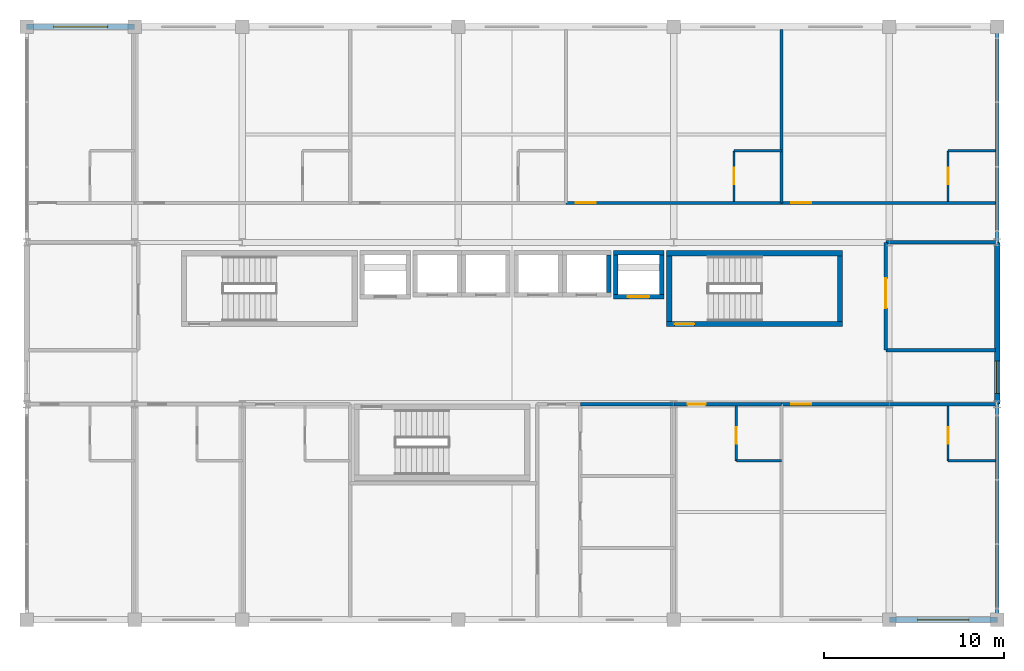
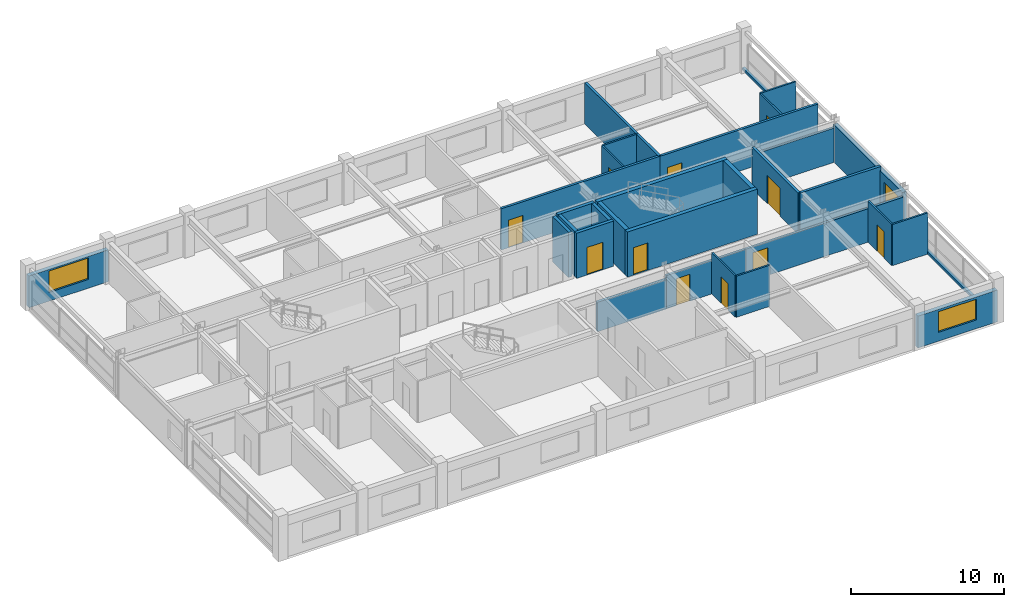
# One storey, part 18 of 20: 31 walls, 11 doors, 3 windows, 14 openings.
"""IFC4 building model written with IfcOpenShell, lengths in metres."""

from ifc_helpers import new_model, si_unit, direction, frame, frame_2d, origin, place, context, subcontext, project, spatial, rectangle, extrude, material, layer, layer_set, type_object, element, fill, save


model = new_model("IFC4")

# Units and contexts
model_context = context("Model", 3, precision=1e-05, world=origin(), true_north=direction((0.0, 1.0)))
body_context = subcontext(model_context, "Body", "Model", "MODEL_VIEW")
ifc_project = project(units=[si_unit("LENGTHUNIT", "METRE"), si_unit("AREAUNIT", "SQUARE_METRE"), si_unit("VOLUMEUNIT", "CUBIC_METRE"), si_unit("PLANEANGLEUNIT", "RADIAN"), si_unit("MASSUNIT", "GRAM", prefix="KILO")], contexts=[model_context])

# Site, building, storey
site_placement = place(None, origin())
site = spatial("IfcSite", under=ifc_project, at=site_placement, CompositionType="ELEMENT")
building_placement = place(site_placement, origin())
building = spatial("IfcBuilding", under=site, at=building_placement, Name="Kaldorvane Square Convention Centre", CompositionType="ELEMENT")
storey_placement = place(building_placement, frame((0.0, 0.0, 52.80000305175781)))
storey = spatial("IfcBuildingStorey", under=building, at=storey_placement, Name="L12", CompositionType="ELEMENT", Elevation=52.80000305175781)

# Wall, opening, door
ifc_material_1 = material(Name="Fire-Rated Gypsum Board on Acoustic Steel Studs", Category="steel")
ifc_layer_1 = layer(ifc_material_1, 0.125)
ifc_layer_set_1 = layer_set([ifc_layer_1], Name="Fire-Rated Gypsum Board on Acoustic Steel Studs")
wall_type_1 = type_object("IfcWallType", Name="WL-BATH-125", PredefinedType="PARTITIONING", material=ifc_layer_set_1)
wall_1_placement = place(storey_placement, frame((69.35000610351562, 107.28999328613281, 0.0), z_axis=(0.0, 0.0, 1.0), x_axis=(0.0, 1.0, 0.0)))
wall_1 = element("IfcWall", 1, at=wall_1_placement, inside=storey, type_object=wall_type_1, Name="En-Suite 1204 West Wall", PredefinedType="PARTITIONING", context=body_context, shape_type="SweptSolid", body=[
    extrude(rectangle(XDim=2.8100128173828125, YDim=0.125, at=frame_2d((1.404998779296875, 0.0))), origin(), (0.0, 0.0, 1.0), 3.2899932861328125),
])
opening_1_placement = place(wall_1_placement, frame((0.9499969482421875, 0.0, 0.0)))
opening_1 = element("IfcOpeningElement", 2, at=opening_1_placement, cuts=wall_1, Name="Opening ID-12", PredefinedType="OPENING", context=body_context, shape_type="SweptSolid", body=[
    extrude(rectangle(XDim=0.9199981689453125, YDim=2.100006103515625, at=frame_2d((0.459991455078125, 1.0500030517578125))), frame((0.0, 0.0774993896484375, 0.0), z_axis=(0.0, -1.0, 0.0), x_axis=(1.0, 0.0, 0.0)), (0.0, 0.0, 1.0), 0.154998779296875),
])
ifc_material_2 = material(Name="Architectural Solid-Core White Oak")
door_type_1 = type_object("IfcDoorType", Name="DR-BATH-0920X2100", OperationType="SINGLE_SWING_RIGHT", PredefinedType="DOOR", material=ifc_material_2)
door_1_placement = place(opening_1_placement, origin())
door_1 = element("IfcDoor", 3, at=door_1_placement, inside=storey, type_object=door_type_1, Name="En-Suite Bathroom 1204 Door", OperationType="SINGLE_SWING_RIGHT", OverallHeight=2.100006103515625, OverallWidth=0.9199981689453125, PredefinedType="DOOR", context=body_context, shape_type="SweptSolid", body=[
    extrude(rectangle(XDim=0.9199981689453125, YDim=2.100006103515625, at=frame_2d((0.459991455078125, 1.0500030517578125))), frame((0.0, 0.024993896484375, 0.0), z_axis=(0.0, -1.0, 0.0), x_axis=(1.0, 0.0, 0.0)), (0.0, 0.0, 1.0), 0.0500030517578125),
])
fill(opening_1, door_1)

# Wall
wall_2_placement = place(storey_placement, frame((69.35000610351562, 110.10000610351562, 0.0), z_axis=(0.0, 0.0, 1.0), x_axis=(1.0, 0.0, 0.0)))
element("IfcWall", 4, at=wall_2_placement, inside=storey, type_object=wall_type_1, Name="En-Suite 1204 North Wall", PredefinedType="PARTITIONING", context=body_context, shape_type="SweptSolid", body=[
    extrude(rectangle(XDim=2.649993896484375, YDim=0.125, at=frame_2d((1.3249969482421875, 0.0))), origin(), (0.0, 0.0, 1.0), 3.2899932861328125),
])

# Wall, opening, door
wall_3_placement = place(storey_placement, frame((81.26499938964844, 107.28999328613281, 0.0), z_axis=(0.0, 0.0, 1.0), x_axis=(0.0, 1.0, 0.0)))
wall_3 = element("IfcWall", 5, at=wall_3_placement, inside=storey, type_object=wall_type_1, Name="En-Suite 1205 West Wall", PredefinedType="PARTITIONING", context=body_context, shape_type="SweptSolid", body=[
    extrude(rectangle(XDim=2.8100128173828125, YDim=0.125, at=frame_2d((1.404998779296875, 0.0))), origin(), (0.0, 0.0, 1.0), 3.2899932861328125),
])
opening_2_placement = place(wall_3_placement, frame((0.9499969482421875, 0.0, 0.0)))
opening_2 = element("IfcOpeningElement", 6, at=opening_2_placement, cuts=wall_3, Name="Opening ID-12", PredefinedType="OPENING", context=body_context, shape_type="SweptSolid", body=[
    extrude(rectangle(XDim=0.9199981689453125, YDim=2.100006103515625, at=frame_2d((0.459991455078125, 1.0500030517578125))), frame((0.0, 0.0774993896484375, 0.0), z_axis=(0.0, -1.0, 0.0), x_axis=(1.0, 0.0, 0.0)), (0.0, 0.0, 1.0), 0.154998779296875),
])
door_2_placement = place(opening_2_placement, origin())
door_2 = element("IfcDoor", 7, at=door_2_placement, inside=storey, type_object=door_type_1, Name="En-Suite Bathroom 1205 Door", OperationType="SINGLE_SWING_RIGHT", OverallHeight=2.100006103515625, OverallWidth=0.9199981689453125, PredefinedType="DOOR", context=body_context, shape_type="SweptSolid", body=[
    extrude(rectangle(XDim=0.9199981689453125, YDim=2.100006103515625, at=frame_2d((0.459991455078125, 1.0500030517578125))), frame((0.0, 0.024993896484375, 0.0), z_axis=(0.0, -1.0, 0.0), x_axis=(1.0, 0.0, 0.0)), (0.0, 0.0, 1.0), 0.0500030517578125),
])
fill(opening_2, door_2)

# Wall
wall_4_placement = place(storey_placement, frame((81.26499938964844, 110.10000610351562, 0.0), z_axis=(0.0, 0.0, 1.0), x_axis=(1.0, 0.0, 0.0)))
element("IfcWall", 8, at=wall_4_placement, inside=storey, type_object=wall_type_1, Name="En-Suite 1205 North Wall", PredefinedType="PARTITIONING", context=body_context, shape_type="SweptSolid", body=[
    extrude(rectangle(XDim=2.649993896484375, YDim=0.125, at=frame_2d((1.3249969482421875, 0.0))), origin(), (0.0, 0.0, 1.0), 3.2899932861328125),
])

# Wall, opening, door
wall_5_placement = place(storey_placement, frame((69.47999572753906, 92.85000610351562, 0.0), z_axis=(0.0, 0.0, 1.0), x_axis=(0.0, 1.0, 0.0)))
wall_5 = element("IfcWall", 9, at=wall_5_placement, inside=storey, type_object=wall_type_1, Name="En-Suite 1209 West Wall", PredefinedType="PARTITIONING", context=body_context, shape_type="SweptSolid", body=[
    extrude(rectangle(XDim=3.05999755859375, YDim=0.125, at=frame_2d((1.529998779296875, 0.0))), origin(), (0.0, 0.0, 1.0), 3.2899932861328125),
])
opening_3_placement = place(wall_5_placement, frame((0.9499969482421875, 0.0, 0.0)))
opening_3 = element("IfcOpeningElement", 10, at=opening_3_placement, cuts=wall_5, Name="Opening ID-12", PredefinedType="OPENING", context=body_context, shape_type="SweptSolid", body=[
    extrude(rectangle(XDim=0.9199981689453125, YDim=2.100006103515625, at=frame_2d((0.459991455078125, 1.0500030517578125))), frame((0.0, 0.0774993896484375, 0.0), z_axis=(0.0, -1.0, 0.0), x_axis=(1.0, 0.0, 0.0)), (0.0, 0.0, 1.0), 0.154998779296875),
])
door_3_placement = place(opening_3_placement, origin())
door_3 = element("IfcDoor", 11, at=door_3_placement, inside=storey, type_object=door_type_1, Name="En-Suite Bathroom 1209 Door", OperationType="SINGLE_SWING_RIGHT", OverallHeight=2.100006103515625, OverallWidth=0.9199981689453125, PredefinedType="DOOR", context=body_context, shape_type="SweptSolid", body=[
    extrude(rectangle(XDim=0.9199981689453125, YDim=2.100006103515625, at=frame_2d((0.459991455078125, 1.0500030517578125))), frame((0.0, 0.024993896484375, 0.0), z_axis=(0.0, -1.0, 0.0), x_axis=(1.0, 0.0, 0.0)), (0.0, 0.0, 1.0), 0.0500030517578125),
])
fill(opening_3, door_3)

# Wall
wall_6_placement = place(storey_placement, frame((69.47999572753906, 92.85000610351562, 0.0), z_axis=(0.0, 0.0, 1.0), x_axis=(1.0, 0.0, 0.0)))
element("IfcWall", 12, at=wall_6_placement, inside=storey, type_object=wall_type_1, Name="En-Suite 1209 South Wall", PredefinedType="PARTITIONING", context=body_context, shape_type="SweptSolid", body=[
    extrude(rectangle(XDim=2.5200042724609375, YDim=0.125, at=frame_2d((1.260009765625, 0.0))), origin(), (0.0, 0.0, 1.0), 3.2899932861328125),
])

# Wall, opening, door
wall_7_placement = place(storey_placement, frame((81.26499938964844, 92.85000610351562, 0.0), z_axis=(0.0, 0.0, 1.0), x_axis=(0.0, 1.0, 0.0)))
wall_7 = element("IfcWall", 13, at=wall_7_placement, inside=storey, type_object=wall_type_1, Name="En-Suite 1210 West Wall", PredefinedType="PARTITIONING", context=body_context, shape_type="SweptSolid", body=[
    extrude(rectangle(XDim=3.05999755859375, YDim=0.125, at=frame_2d((1.529998779296875, 0.0))), origin(), (0.0, 0.0, 1.0), 3.2899932861328125),
])
opening_4_placement = place(wall_7_placement, frame((0.9499969482421875, 0.0, 0.0)))
opening_4 = element("IfcOpeningElement", 14, at=opening_4_placement, cuts=wall_7, Name="Opening ID-12", PredefinedType="OPENING", context=body_context, shape_type="SweptSolid", body=[
    extrude(rectangle(XDim=0.9199981689453125, YDim=2.100006103515625, at=frame_2d((0.459991455078125, 1.0500030517578125))), frame((0.0, 0.0774993896484375, 0.0), z_axis=(0.0, -1.0, 0.0), x_axis=(1.0, 0.0, 0.0)), (0.0, 0.0, 1.0), 0.154998779296875),
])
door_4_placement = place(opening_4_placement, origin())
door_4 = element("IfcDoor", 15, at=door_4_placement, inside=storey, type_object=door_type_1, Name="En-Suite Bathroom 1210 Door", OperationType="SINGLE_SWING_RIGHT", OverallHeight=2.100006103515625, OverallWidth=0.9199981689453125, PredefinedType="DOOR", context=body_context, shape_type="SweptSolid", body=[
    extrude(rectangle(XDim=0.9199981689453125, YDim=2.100006103515625, at=frame_2d((0.459991455078125, 1.0500030517578125))), frame((0.0, 0.024993896484375, 0.0), z_axis=(0.0, -1.0, 0.0), x_axis=(1.0, 0.0, 0.0)), (0.0, 0.0, 1.0), 0.0500030517578125),
])
fill(opening_4, door_4)

# Walls
wall_8_placement = place(storey_placement, frame((81.26499938964844, 92.85000610351562, 0.0), z_axis=(0.0, 0.0, 1.0), x_axis=(1.0, 0.0, 0.0)))
element("IfcWall", 16, at=wall_8_placement, inside=storey, type_object=wall_type_1, Name="En-Suite 1210 South Wall", PredefinedType="PARTITIONING", context=body_context, shape_type="SweptSolid", body=[
    extrude(rectangle(XDim=2.649993896484375, YDim=0.125, at=frame_2d((1.3249969482421875, 0.0))), origin(), (0.0, 0.0, 1.0), 3.2899932861328125),
])
ifc_layer_2 = layer(ifc_material_1, 0.1999969482421875)
ifc_layer_set_2 = layer_set([ifc_layer_2], Name="Fire-Rated Gypsum Board on Acoustic Steel Studs")
wall_type_2 = type_object("IfcWallType", Name="WL-CORR-200", PredefinedType="PARTITIONING", material=ifc_layer_set_2)
wall_9_placement = place(storey_placement, frame((60.80000305175781, 96.0, 0.0), z_axis=(0.0, 0.0, 1.0), x_axis=(1.0, 0.0, 0.0)))
element("IfcWall", 17, at=wall_9_placement, inside=storey, type_object=wall_type_2, Name="Restroom North Wall (L12)", PredefinedType="PARTITIONING", context=body_context, shape_type="SweptSolid", body=[
    extrude(rectangle(XDim=5.1999969482421875, YDim=0.1999969482421875, at=frame_2d((2.600006103515625, 0.0))), origin(), (0.0, 0.0, 1.0), 2.3589935302734375),
])
wall_10_placement = place(storey_placement, frame((77.80000305175781, 99.0, 0.0), z_axis=(0.0, 0.0, 1.0), x_axis=(1.0, 0.0, 0.0)))
element("IfcWall", 18, at=wall_10_placement, inside=storey, type_object=wall_type_2, Name="East Square View Lounge (L12) S Wall", PredefinedType="PARTITIONING", context=body_context, shape_type="SweptSolid", body=[
    extrude(rectangle(XDim=6.114990234375, YDim=0.1999969482421875, at=frame_2d((3.0574951171875, 0.0))), origin(), (0.0, 0.0, 1.0), 3.2899932861328125),
])
wall_11_placement = place(storey_placement, frame((83.91499328613281, 105.0, 0.0), z_axis=(0.0, 0.0, 1.0), x_axis=(-1.0, 0.0, 0.0)))
element("IfcWall", 19, at=wall_11_placement, inside=storey, type_object=wall_type_2, Name="East Square View Lounge (L12) N Wall", PredefinedType="PARTITIONING", context=body_context, shape_type="SweptSolid", body=[
    extrude(rectangle(XDim=6.114990234375, YDim=0.1999969482421875, at=frame_2d((3.0574951171875, 0.0))), origin(), (0.0, 0.0, 1.0), 2.735992431640625),
])

# Wall, opening, door
wall_12_placement = place(storey_placement, frame((77.80000305175781, 105.0, 0.0), z_axis=(0.0, 0.0, 1.0), x_axis=(0.0, -1.0, 0.0)))
wall_12 = element("IfcWall", 20, at=wall_12_placement, inside=storey, type_object=wall_type_2, Name="East Square View Lounge (L12) W Wall", PredefinedType="PARTITIONING", context=body_context, shape_type="SweptSolid", body=[
    extrude(rectangle(XDim=6.0, YDim=0.1999969482421875, at=frame_2d((3.0, 0.0))), origin(), (0.0, 0.0, 1.0), 3.2899932861328125),
])
opening_5_placement = place(wall_12_placement, frame((2.0, 0.0, 0.0)))
opening_5 = element("IfcOpeningElement", 21, at=opening_5_placement, cuts=wall_12, Name="Opening ID-16", PredefinedType="OPENING", context=body_context, shape_type="SweptSolid", body=[
    extrude(rectangle(XDim=1.649993896484375, YDim=2.25, at=frame_2d((0.8249969482421875, 1.125))), frame((0.0, 0.114990234375, 0.0), z_axis=(0.0, -1.0, 0.0), x_axis=(1.0, 0.0, 0.0)), (0.0, 0.0, 1.0), 0.2299957275390625),
])
ifc_material_3 = material(Name="Acoustic Laminated Glass in Aluminum Frame", Category="aluminium")
door_type_2 = type_object("IfcDoorType", Name="DR-GL-1650X2250", OperationType="DOUBLE_DOOR_SINGLE_SWING", PredefinedType="DOOR", material=ifc_material_3)
door_5_placement = place(opening_5_placement, origin())
door_5 = element("IfcDoor", 22, at=door_5_placement, inside=storey, type_object=door_type_2, Name="East Square View Lounge (L12) Door 1", OperationType="DOUBLE_DOOR_SINGLE_SWING", OverallHeight=2.25, OverallWidth=1.649993896484375, PredefinedType="DOOR", context=body_context, shape_type="SweptSolid", body=[
    extrude(rectangle(XDim=1.649993896484375, YDim=2.25, at=frame_2d((0.8249969482421875, 1.125))), frame((0.0, 0.024993896484375, 0.0), z_axis=(0.0, -1.0, 0.0), x_axis=(1.0, 0.0, 0.0)), (0.0, 0.0, 1.0), 0.0500030517578125),
])
fill(opening_5, door_5)

# Wall, opening, window
ifc_material_4 = material(Name="Concrete f'c = 35 MPa (Normalweight)", Category="concrete")
ifc_layer_3 = layer(ifc_material_4, 0.32000732421875)
ifc_layer_set_3 = layer_set([ifc_layer_3], Name="Concrete f'c = 35 MPa (Normalweight)")
wall_type_3 = type_object("IfcWallType", Name="WL-EXT-320", PredefinedType="STANDARD", material=ifc_layer_set_3)
wall_13_placement = place(storey_placement, frame((78.0, 84.0, 0.0), z_axis=(0.0, 0.0, 1.0), x_axis=(1.0, 0.0, 0.0)))
wall_13 = element("IfcWall", 23, at=wall_13_placement, inside=storey, type_object=wall_type_3, Name="Hotel S Brutalist Facade Wall (L12)", PredefinedType="STANDARD", context=body_context, shape_type="SweptSolid", body=[
    extrude(rectangle(XDim=6.0, YDim=0.32000732421875, at=frame_2d((3.0, 0.0))), origin(), (0.0, 0.0, 1.0), 2.5359954833984375),
])
opening_6_placement = place(wall_13_placement, frame((1.5749969482421875, 0.0, 0.6999969482421875)))
opening_6 = element("IfcOpeningElement", 24, at=opening_6_placement, cuts=wall_13, Name="Opening W-04", PredefinedType="OPENING", context=body_context, shape_type="SweptSolid", body=[
    extrude(rectangle(XDim=2.850006103515625, YDim=1.649993896484375, at=frame_2d((1.4250030517578125, 0.8249969482421875))), frame((0.0, 0.1750030517578125, 0.0), z_axis=(0.0, -1.0, 0.0), x_axis=(1.0, 0.0, 0.0)), (0.0, 0.0, 1.0), 0.350006103515625),
])
ifc_material_5 = material(Name="Anodized Aluminum and Low-E Insulated Glazing", Category="aluminium")
window_type_1 = type_object("IfcWindowType", Name="WN-HTL-2850X1650", PartitioningType="TRIPLE_PANEL_VERTICAL", PredefinedType="WINDOW", material=ifc_material_5)
window_1_placement = place(opening_6_placement, origin())
window_1 = element("IfcWindow", 25, at=window_1_placement, inside=storey, type_object=window_type_1, Name="Hotel S Window (L12)", OverallHeight=1.649993896484375, OverallWidth=2.850006103515625, PartitioningType="TRIPLE_PANEL_VERTICAL", PredefinedType="WINDOW", context=body_context, shape_type="SweptSolid", body=[
    extrude(rectangle(XDim=2.850006103515625, YDim=1.649993896484375, at=frame_2d((1.4250030517578125, 0.8249969482421875))), frame((0.0, 0.029998779296875, 0.0), z_axis=(0.0, -1.0, 0.0), x_axis=(1.0, 0.0, 0.0)), (0.0, 0.0, 1.0), 0.05999755859375),
])
fill(opening_6, window_1)

wall_14_placement = place(storey_placement, frame((36.0, 117.0, 0.0), z_axis=(0.0, 0.0, 1.0), x_axis=(-1.0, 0.0, 0.0)))
wall_14 = element("IfcWall", 26, at=wall_14_placement, inside=storey, type_object=wall_type_3, Name="Hotel N Brutalist Facade Wall (L12)", PredefinedType="STANDARD", context=body_context, shape_type="SweptSolid", body=[
    extrude(rectangle(XDim=6.0, YDim=0.32000732421875, at=frame_2d((3.0, 0.0))), origin(), (0.0, 0.0, 1.0), 2.5359954833984375),
])
opening_7_placement = place(wall_14_placement, frame((1.5, 0.0, 0.6999969482421875)))
opening_7 = element("IfcOpeningElement", 27, at=opening_7_placement, cuts=wall_14, Name="Opening W-09", PredefinedType="OPENING", context=body_context, shape_type="SweptSolid", body=[
    extrude(rectangle(XDim=3.0, YDim=1.7100067138671875, at=frame_2d((1.5, 0.855010986328125))), frame((0.0, 0.1750030517578125, 0.0), z_axis=(0.0, -1.0, 0.0), x_axis=(1.0, 0.0, 0.0)), (0.0, 0.0, 1.0), 0.350006103515625),
])
window_type_2 = type_object("IfcWindowType", Name="WN-HTL-3000X1750", PartitioningType="TRIPLE_PANEL_VERTICAL", PredefinedType="WINDOW", material=ifc_material_5)
window_2_placement = place(opening_7_placement, origin())
window_2 = element("IfcWindow", 28, at=window_2_placement, inside=storey, type_object=window_type_2, Name="Hotel N Window (L12)", OverallHeight=1.7100067138671875, OverallWidth=3.0, PartitioningType="TRIPLE_PANEL_VERTICAL", PredefinedType="WINDOW", context=body_context, shape_type="SweptSolid", body=[
    extrude(rectangle(XDim=3.0, YDim=1.7100067138671875, at=frame_2d((1.5, 0.855010986328125))), frame((0.0, 0.029998779296875, 0.0), z_axis=(0.0, -1.0, 0.0), x_axis=(1.0, 0.0, 0.0)), (0.0, 0.0, 1.0), 0.05999755859375),
])
fill(opening_7, window_2)

wall_15_placement = place(storey_placement, frame((84.0, 96.0, 0.0), z_axis=(0.0, 0.0, 1.0), x_axis=(0.0, 1.0, 0.0)))
wall_15 = element("IfcWall", 29, at=wall_15_placement, inside=storey, type_object=wall_type_3, Name="Hotel E End Wall (L12)", PredefinedType="STANDARD", context=body_context, shape_type="SweptSolid", body=[
    extrude(rectangle(XDim=9.0, YDim=0.32000732421875, at=frame_2d((4.5, 0.0))), origin(), (0.0, 0.0, 1.0), 2.9810028076171875),
])
opening_8_placement = place(wall_15_placement, frame((0.600006103515625, 0.0, 0.850006103515625)))
opening_8 = element("IfcOpeningElement", 30, at=opening_8_placement, cuts=wall_15, Name="Opening W-11", PredefinedType="OPENING", context=body_context, shape_type="SweptSolid", body=[
    extrude(rectangle(XDim=1.8000030517578125, YDim=1.5, at=frame_2d((0.899993896484375, 0.75))), frame((0.0, 0.1750030517578125, 0.0), z_axis=(0.0, -1.0, 0.0), x_axis=(1.0, 0.0, 0.0)), (0.0, 0.0, 1.0), 0.350006103515625),
])
window_type_3 = type_object("IfcWindowType", Name="WN-HTL-1800X1500", PartitioningType="SINGLE_PANEL", PredefinedType="WINDOW", material=ifc_material_5)
window_3_placement = place(opening_8_placement, origin())
window_3 = element("IfcWindow", 31, at=window_3_placement, inside=storey, type_object=window_type_3, Name="Hotel End Window E (L12)", OverallHeight=1.5, OverallWidth=1.8000030517578125, PartitioningType="SINGLE_PANEL", PredefinedType="WINDOW", context=body_context, shape_type="SweptSolid", body=[
    extrude(rectangle(XDim=1.8000030517578125, YDim=1.5, at=frame_2d((0.899993896484375, 0.75))), frame((0.0, 0.029998779296875, 0.0), z_axis=(0.0, -1.0, 0.0), x_axis=(1.0, 0.0, 0.0)), (0.0, 0.0, 1.0), 0.05999755859375),
])
fill(opening_8, window_3)

# Walls
ifc_layer_4 = layer(ifc_material_4, 0.220001220703125)
ifc_layer_set_4 = layer_set([ifc_layer_4], Name="Concrete f'c = 35 MPa (Normalweight)")
wall_type_4 = type_object("IfcWallType", Name="WL-PAR-220", PredefinedType="PARAPET", material=ifc_layer_set_4)
for number, where, z_axis, x_axis, name in (
    (32, (84.0, 84.0, 0.0), (0.0, 0.0, 1.0), (0.0, 1.0, 0.0), "Hotel End Curtain-Wall Sill (L12)"),
    (33, (84.0, 105.0, 0.0), (0.0, 0.0, 1.0), (0.0, 1.0, 0.0), "Hotel End Curtain-Wall Sill (L12)"),
):
    element("IfcWall", number, at=place(storey_placement, frame(where, z_axis=z_axis, x_axis=x_axis)), inside=storey, type_object=wall_type_4, Name=name, PredefinedType="PARAPET", context=body_context, shape_type="SweptSolid", body=[
        extrude(rectangle(XDim=12.0, YDim=0.220001220703125, at=frame_2d((6.0, 0.0))), origin(), (0.0, 0.0, 1.0), 0.1999969482421875),
    ])

# Wall, opening, door
ifc_material_6 = material(Name="Concrete f'c = 55 MPa (Normalweight)", Category="concrete")
ifc_layer_5 = layer(ifc_material_6, 0.3000030517578125)
ifc_layer_set_5 = layer_set([ifc_layer_5], Name="Concrete f'c = 55 MPa (Normalweight)")
wall_type_5 = type_object("IfcWallType", Name="WL-SHAFT-300", PredefinedType="SHEAR", material=ifc_layer_set_5)
wall_16_placement = place(storey_placement, frame((65.60000610351562, 100.46000671386719, 0.0), z_axis=(0.0, 0.0, 1.0), x_axis=(1.0, 0.0, 0.0)))
wall_16 = element("IfcWall", 34, at=wall_16_placement, inside=storey, type_object=wall_type_5, Name="Core Enclosure Wall stair:ST-T2-S (L12)", PredefinedType="SHEAR", context=body_context, shape_type="SweptSolid", body=[
    extrude(rectangle(XDim=9.79998779296875, YDim=0.3000030517578125, at=frame_2d((4.899993896484375, 0.0))), origin(), (0.0, 0.0, 1.0), 3.5999908447265625),
])
opening_9_placement = place(wall_16_placement, frame((0.4499969482421875, 0.0, 0.0)))
opening_9 = element("IfcOpeningElement", 35, at=opening_9_placement, cuts=wall_16, Name="Opening FD90-S1", PredefinedType="OPENING", context=body_context, shape_type="SweptSolid", body=[
    extrude(rectangle(XDim=1.100006103515625, YDim=2.1999969482421875, at=frame_2d((0.5500030517578125, 1.100006103515625))), frame((0.0, 0.165008544921875, 0.0), z_axis=(0.0, -1.0, 0.0), x_axis=(1.0, 0.0, 0.0)), (0.0, 0.0, 1.0), 0.3300018310546875),
])
ifc_material_7 = material(Name="Fire-Rated Hollow Metal Steel", Category="steel")
door_type_3 = type_object("IfcDoorType", Name="DR-STAIR-1100", OperationType="SINGLE_SWING_RIGHT", PredefinedType="DOOR", material=ifc_material_7)
door_6_placement = place(opening_9_placement, origin())
door_6 = element("IfcDoor", 36, at=door_6_placement, inside=storey, type_object=door_type_3, Name="Tower Exit Stair T2 Fire Door (L12)", OperationType="SINGLE_SWING_RIGHT", OverallHeight=2.1999969482421875, OverallWidth=1.100006103515625, PredefinedType="DOOR", context=body_context, shape_type="SweptSolid", body=[
    extrude(rectangle(XDim=1.100006103515625, YDim=2.1999969482421875, at=frame_2d((0.5500030517578125, 1.100006103515625))), frame((0.0, 0.024993896484375, 0.0), z_axis=(0.0, -1.0, 0.0), x_axis=(1.0, 0.0, 0.0)), (0.0, 0.0, 1.0), 0.0500030517578125),
])
fill(opening_9, door_6)

# Walls
wall_17_placement = place(storey_placement, frame((75.39999389648438, 104.39999389648438, 0.0), z_axis=(0.0, 0.0, 1.0), x_axis=(-1.0, 0.0, 0.0)))
element("IfcWall", 37, at=wall_17_placement, inside=storey, type_object=wall_type_5, Name="Core Enclosure Wall stair:ST-T2-N (L12)", PredefinedType="SHEAR", context=body_context, shape_type="SweptSolid", body=[
    extrude(rectangle(XDim=9.79998779296875, YDim=0.3000030517578125, at=frame_2d((4.899993896484375, 0.0))), origin(), (0.0, 0.0, 1.0), 3.5999908447265625),
])
for number, where, z_axis, x_axis, name in (
    (38, (65.75, 104.25, 0.0), (0.0, 0.0, 1.0), (0.0, -1.0, 0.0), "Core Enclosure Wall stair:ST-T2-W (L12)"),
    (39, (75.25, 100.61000061035156, 0.0), (0.0, 0.0, 1.0), (0.0, 1.0, 0.0), "Core Enclosure Wall stair:ST-T2-E (L12)"),
):
    element("IfcWall", number, at=place(storey_placement, frame(where, z_axis=z_axis, x_axis=x_axis)), inside=storey, type_object=wall_type_5, Name=name, PredefinedType="SHEAR", context=body_context, shape_type="SweptSolid", body=[
        extrude(rectangle(XDim=3.6399993896484375, YDim=0.3000030517578125, at=frame_2d((1.82000732421875, 0.0))), origin(), (0.0, 0.0, 1.0), 3.5999908447265625),
    ])

# Wall, opening, door
wall_18_placement = place(storey_placement, frame((62.649993896484375, 101.97500610351562, 0.0), z_axis=(0.0, 0.0, 1.0), x_axis=(1.0, 0.0, 0.0)))
wall_18 = element("IfcWall", 40, at=wall_18_placement, inside=storey, type_object=wall_type_5, Name="Core Enclosure Wall lift:FSAE-02-S (L12)", PredefinedType="SHEAR", context=body_context, shape_type="SweptSolid", body=[
    extrude(rectangle(XDim=2.8000030517578125, YDim=0.25, at=frame_2d((1.399993896484375, 0.0))), origin(), (0.0, 0.0, 1.0), 3.5999908447265625),
])
opening_10_placement = place(wall_18_placement, frame((0.8000030517578125, 0.0, 0.0)))
opening_10 = element("IfcOpeningElement", 41, at=opening_10_placement, cuts=wall_18, Name="Opening LD-02", PredefinedType="OPENING", context=body_context, shape_type="SweptSolid", body=[
    extrude(rectangle(XDim=1.1999969482421875, YDim=2.1999969482421875, at=frame_2d((0.600006103515625, 1.100006103515625))), frame((0.0, 0.1399993896484375, 0.0), z_axis=(0.0, -1.0, 0.0), x_axis=(1.0, 0.0, 0.0)), (0.0, 0.0, 1.0), 0.279998779296875),
])
ifc_material_8 = material(Name="Stainless Steel Elevator Door Assembly", Category="steel")
door_type_4 = type_object("IfcDoorType", Name="DR-LIFT-1200", OperationType="DOUBLE_DOOR_SLIDING", PredefinedType="DOOR", material=ifc_material_8)
door_7_placement = place(opening_10_placement, origin())
door_7 = element("IfcDoor", 42, at=door_7_placement, inside=storey, type_object=door_type_4, Name="Elevator Landing Door FSAE-02 (L12)", OperationType="DOUBLE_DOOR_SLIDING", OverallHeight=2.1999969482421875, OverallWidth=1.1999969482421875, PredefinedType="DOOR", context=body_context, shape_type="SweptSolid", body=[
    extrude(rectangle(XDim=1.1999969482421875, YDim=2.1999969482421875, at=frame_2d((0.600006103515625, 1.100006103515625))), frame((0.0, 0.024993896484375, 0.0), z_axis=(0.0, -1.0, 0.0), x_axis=(1.0, 0.0, 0.0)), (0.0, 0.0, 1.0), 0.0500030517578125),
])
fill(opening_10, door_7)

# Walls
wall_19_placement = place(storey_placement, frame((65.44999694824219, 104.42500305175781, 0.0), z_axis=(0.0, 0.0, 1.0), x_axis=(-1.0, 0.0, 0.0)))
element("IfcWall", 43, at=wall_19_placement, inside=storey, type_object=wall_type_5, Name="Core Enclosure Wall lift:FSAE-02-N (L12)", PredefinedType="SHEAR", context=body_context, shape_type="SweptSolid", body=[
    extrude(rectangle(XDim=2.8000030517578125, YDim=0.25, at=frame_2d((1.399993896484375, 0.0))), origin(), (0.0, 0.0, 1.0), 3.5999908447265625),
])
for number, where, z_axis, x_axis, name in (
    (44, (62.774993896484375, 104.30000305175781, 0.0), (0.0, 0.0, 1.0), (0.0, -1.0, 0.0), "Core Enclosure Wall lift:FSAE-02-W (L12)"),
    (45, (65.32499694824219, 102.10000610351562, 0.0), (0.0, 0.0, 1.0), (0.0, 1.0, 0.0), "Core Enclosure Wall lift:FSAE-02-E (L12)"),
):
    element("IfcWall", number, at=place(storey_placement, frame(where, z_axis=z_axis, x_axis=x_axis)), inside=storey, type_object=wall_type_5, Name=name, PredefinedType="SHEAR", context=body_context, shape_type="SweptSolid", body=[
        extrude(rectangle(XDim=2.1999969482421875, YDim=0.25, at=frame_2d((1.100006103515625, 0.0))), origin(), (0.0, 0.0, 1.0), 3.5999908447265625),
    ])
wall_20_placement = place(storey_placement, frame((62.375, 102.19999694824219, 0.0), z_axis=(0.0, 0.0, 1.0), x_axis=(0.0, 1.0, 0.0)))
element("IfcWall", 46, at=wall_20_placement, inside=storey, type_object=wall_type_5, Name="Core Enclosure Wall lift:EL-P4-E (L12)", PredefinedType="SHEAR", context=body_context, shape_type="SweptSolid", body=[
    extrude(rectangle(XDim=2.100006103515625, YDim=0.25, at=frame_2d((1.0500030517578125, 0.0))), origin(), (0.0, 0.0, 1.0), 3.5999908447265625),
])

# Wall, opening, door
ifc_layer_6 = layer(ifc_material_1, 0.17999267578125)
ifc_layer_set_6 = layer_set([ifc_layer_6], Name="Fire-Rated Gypsum Board on Acoustic Steel Studs")
wall_type_6 = type_object("IfcWallType", Name="WL-UNIT-180", PredefinedType="PARTITIONING", material=ifc_layer_set_6)
wall_21_placement = place(storey_placement, frame((60.0, 107.19999694824219, 0.0), z_axis=(0.0, 0.0, 1.0), x_axis=(1.0, 0.0, 0.0)))
wall_21 = element("IfcWall", 47, at=wall_21_placement, inside=storey, type_object=wall_type_6, Name="Presidential Suite 1204 Corridor Wall", PredefinedType="PARTITIONING", context=body_context, shape_type="SweptSolid", body=[
    extrude(rectangle(XDim=12.0, YDim=0.17999267578125, at=frame_2d((6.0, 0.0))), origin(), (0.0, 0.0, 1.0), 3.2899932861328125),
])
opening_11_placement = place(wall_21_placement, frame((0.5500030517578125, 0.0, 0.0)))
opening_11 = element("IfcOpeningElement", 48, at=opening_11_placement, cuts=wall_21, Name="Opening ID-11", PredefinedType="OPENING", context=body_context, shape_type="SweptSolid", body=[
    extrude(rectangle(XDim=1.100006103515625, YDim=2.1999969482421875, at=frame_2d((0.5500030517578125, 1.100006103515625))), frame((0.0, 0.1049957275390625, 0.0), z_axis=(0.0, -1.0, 0.0), x_axis=(1.0, 0.0, 0.0)), (0.0, 0.0, 1.0), 0.209991455078125),
])
door_type_5 = type_object("IfcDoorType", Name="DR-SUITE-1100X2200", OperationType="SINGLE_SWING_LEFT", PredefinedType="DOOR", material=ifc_material_2)
door_8_placement = place(opening_11_placement, origin())
door_8 = element("IfcDoor", 49, at=door_8_placement, inside=storey, type_object=door_type_5, Name="Presidential Suite 1204 Entry Door", OperationType="SINGLE_SWING_LEFT", OverallHeight=2.1999969482421875, OverallWidth=1.100006103515625, PredefinedType="DOOR", context=body_context, shape_type="SweptSolid", body=[
    extrude(rectangle(XDim=1.100006103515625, YDim=2.1999969482421875, at=frame_2d((0.5500030517578125, 1.100006103515625))), frame((0.0, 0.024993896484375, 0.0), z_axis=(0.0, -1.0, 0.0), x_axis=(1.0, 0.0, 0.0)), (0.0, 0.0, 1.0), 0.0500030517578125),
])
fill(opening_11, door_8)

# Wall
wall_22_placement = place(storey_placement, frame((72.0, 107.19999694824219, 0.0), z_axis=(0.0, 0.0, 1.0), x_axis=(0.0, 1.0, 0.0)))
element("IfcWall", 50, at=wall_22_placement, inside=storey, type_object=wall_type_6, Name="Guestroom Demising Wall 1204", PredefinedType="PARTITIONING", context=body_context, shape_type="SweptSolid", body=[
    extrude(rectangle(XDim=9.639999389648438, YDim=0.17999267578125, at=frame_2d((4.82000732421875, 0.0))), origin(), (0.0, 0.0, 1.0), 3.2899932861328125),
])

# Wall, opening, door
wall_23_placement = place(storey_placement, frame((72.0, 107.19999694824219, 0.0), z_axis=(0.0, 0.0, 1.0), x_axis=(1.0, 0.0, 0.0)))
wall_23 = element("IfcWall", 51, at=wall_23_placement, inside=storey, type_object=wall_type_6, Name="Presidential Suite 1205 Corridor Wall", PredefinedType="PARTITIONING", context=body_context, shape_type="SweptSolid", body=[
    extrude(rectangle(XDim=11.914993286132812, YDim=0.17999267578125, at=frame_2d((5.957489013671875, 0.0))), origin(), (0.0, 0.0, 1.0), 3.2899932861328125),
])
opening_12_placement = place(wall_23_placement, frame((0.5500030517578125, 0.0, 0.0)))
opening_12 = element("IfcOpeningElement", 52, at=opening_12_placement, cuts=wall_23, Name="Opening ID-11", PredefinedType="OPENING", context=body_context, shape_type="SweptSolid", body=[
    extrude(rectangle(XDim=1.100006103515625, YDim=2.1999969482421875, at=frame_2d((0.5500030517578125, 1.100006103515625))), frame((0.0, 0.1049957275390625, 0.0), z_axis=(0.0, -1.0, 0.0), x_axis=(1.0, 0.0, 0.0)), (0.0, 0.0, 1.0), 0.209991455078125),
])
door_9_placement = place(opening_12_placement, origin())
door_9 = element("IfcDoor", 53, at=door_9_placement, inside=storey, type_object=door_type_5, Name="Presidential Suite 1205 Entry Door", OperationType="SINGLE_SWING_LEFT", OverallHeight=2.1999969482421875, OverallWidth=1.100006103515625, PredefinedType="DOOR", context=body_context, shape_type="SweptSolid", body=[
    extrude(rectangle(XDim=1.100006103515625, YDim=2.1999969482421875, at=frame_2d((0.5500030517578125, 1.100006103515625))), frame((0.0, 0.024993896484375, 0.0), z_axis=(0.0, -1.0, 0.0), x_axis=(1.0, 0.0, 0.0)), (0.0, 0.0, 1.0), 0.0500030517578125),
])
fill(opening_12, door_9)

wall_24_placement = place(storey_placement, frame((66.0, 96.0, 0.0), z_axis=(0.0, 0.0, 1.0), x_axis=(1.0, 0.0, 0.0)))
wall_24 = element("IfcWall", 54, at=wall_24_placement, inside=storey, type_object=wall_type_6, Name="Hotel Guest Room 1209 Corridor Wall", PredefinedType="PARTITIONING", context=body_context, shape_type="SweptSolid", body=[
    extrude(rectangle(XDim=6.0, YDim=0.17999267578125, at=frame_2d((3.0, 0.0))), origin(), (0.0, 0.0, 1.0), 2.66400146484375),
])
opening_13_placement = place(wall_24_placement, frame((0.7700042724609375, 0.0, 0.0)))
opening_13 = element("IfcOpeningElement", 55, at=opening_13_placement, cuts=wall_24, Name="Opening ID-10", PredefinedType="OPENING", context=body_context, shape_type="SweptSolid", body=[
    extrude(rectangle(XDim=1.0, YDim=2.149993896484375, at=frame_2d((0.5, 1.0749969482421875))), frame((0.0, 0.1049957275390625, 0.0), z_axis=(0.0, -1.0, 0.0), x_axis=(1.0, 0.0, 0.0)), (0.0, 0.0, 1.0), 0.209991455078125),
])
door_type_6 = type_object("IfcDoorType", Name="DR-GUEST-1000X2150", OperationType="SINGLE_SWING_LEFT", PredefinedType="DOOR", material=ifc_material_2)
door_10_placement = place(opening_13_placement, origin())
door_10 = element("IfcDoor", 56, at=door_10_placement, inside=storey, type_object=door_type_6, Name="Hotel Guest Room 1209 Entry Door", OperationType="SINGLE_SWING_LEFT", OverallHeight=2.149993896484375, OverallWidth=1.0, PredefinedType="DOOR", context=body_context, shape_type="SweptSolid", body=[
    extrude(rectangle(XDim=1.0, YDim=2.149993896484375, at=frame_2d((0.5, 1.0749969482421875))), frame((0.0, 0.024993896484375, 0.0), z_axis=(0.0, -1.0, 0.0), x_axis=(1.0, 0.0, 0.0)), (0.0, 0.0, 1.0), 0.0500030517578125),
])
fill(opening_13, door_10)

wall_25_placement = place(storey_placement, frame((72.0, 96.0, 0.0), z_axis=(0.0, 0.0, 1.0), x_axis=(1.0, 0.0, 0.0)))
wall_25 = element("IfcWall", 57, at=wall_25_placement, inside=storey, type_object=wall_type_6, Name="Presidential Suite 1210 Corridor Wall", PredefinedType="PARTITIONING", context=body_context, shape_type="SweptSolid", body=[
    extrude(rectangle(XDim=11.914993286132812, YDim=0.17999267578125, at=frame_2d((5.957489013671875, 0.0))), origin(), (0.0, 0.0, 1.0), 2.66400146484375),
])
opening_14_placement = place(wall_25_placement, frame((0.5500030517578125, 0.0, 0.0)))
opening_14 = element("IfcOpeningElement", 58, at=opening_14_placement, cuts=wall_25, Name="Opening ID-11", PredefinedType="OPENING", context=body_context, shape_type="SweptSolid", body=[
    extrude(rectangle(XDim=1.100006103515625, YDim=2.1999969482421875, at=frame_2d((0.5500030517578125, 1.100006103515625))), frame((0.0, 0.1049957275390625, 0.0), z_axis=(0.0, -1.0, 0.0), x_axis=(1.0, 0.0, 0.0)), (0.0, 0.0, 1.0), 0.209991455078125),
])
door_11_placement = place(opening_14_placement, origin())
door_11 = element("IfcDoor", 59, at=door_11_placement, inside=storey, type_object=door_type_5, Name="Presidential Suite 1210 Entry Door", OperationType="SINGLE_SWING_LEFT", OverallHeight=2.1999969482421875, OverallWidth=1.100006103515625, PredefinedType="DOOR", context=body_context, shape_type="SweptSolid", body=[
    extrude(rectangle(XDim=1.100006103515625, YDim=2.1999969482421875, at=frame_2d((0.5500030517578125, 1.100006103515625))), frame((0.0, 0.024993896484375, 0.0), z_axis=(0.0, -1.0, 0.0), x_axis=(1.0, 0.0, 0.0)), (0.0, 0.0, 1.0), 0.0500030517578125),
])
fill(opening_14, door_11)

save(model, "model.ifc")
